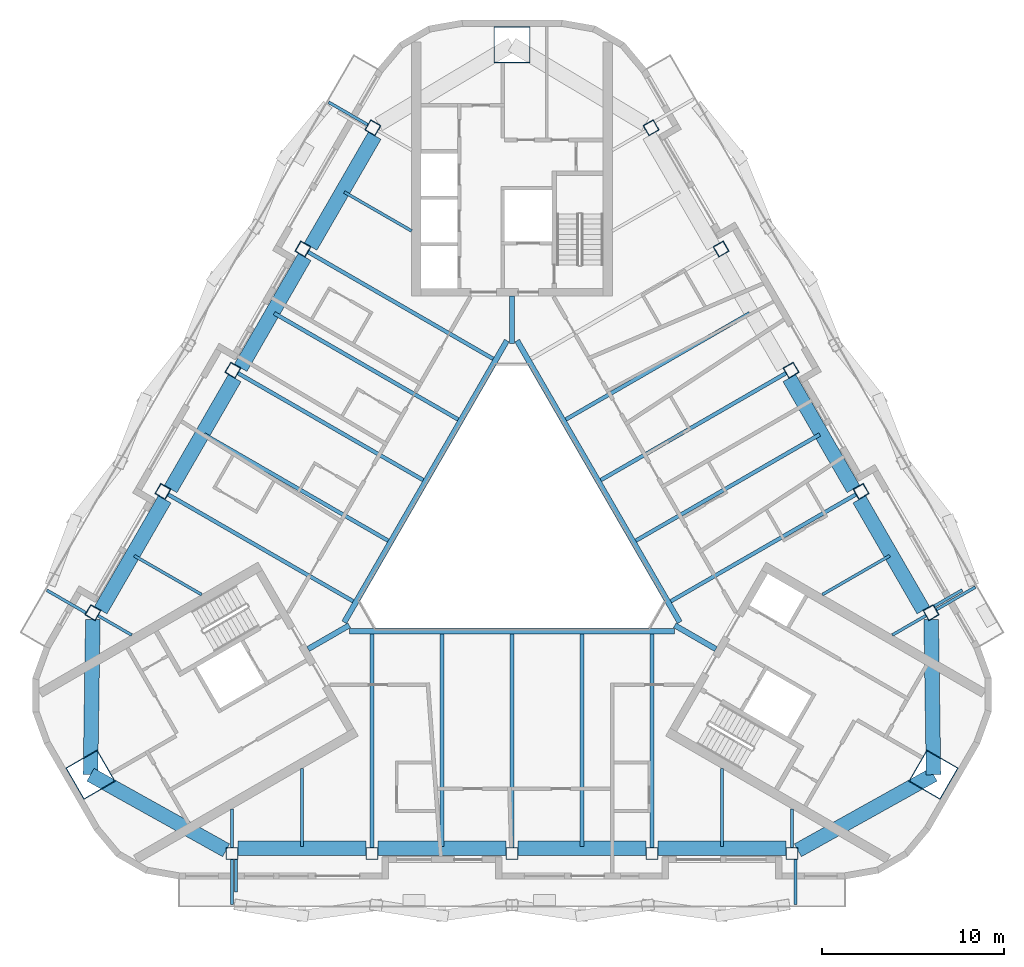
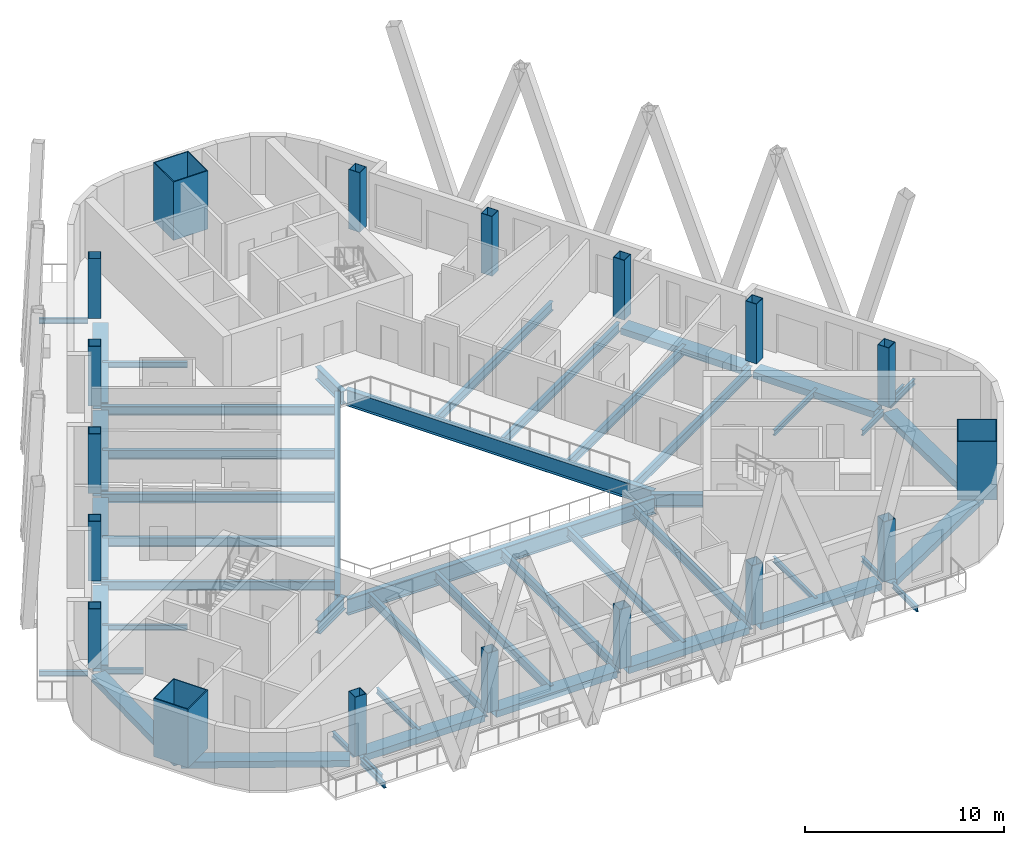
# One storey, part 1 of 14: 50 beams, 18 columns.
"""IFC4 building model written with IfcOpenShell, lengths in metres."""

from ifc_helpers import new_model, si_unit, direction, frame, origin, origin_2d, place, context, subcontext, project, spatial, rectangle, hollow_rectangle, i_section, extrude, boolean, halfspace, material, material_profile, profile_set, type_object, element, save


model = new_model("IFC4")

# Units and contexts
model_context = context("Model", 3, precision=1e-05, world=origin(), true_north=direction((0.0, 1.0)))
body_context = subcontext(model_context, "Body", "Model", "MODEL_VIEW")
ifc_project = project(units=[si_unit("LENGTHUNIT", "METRE"), si_unit("AREAUNIT", "SQUARE_METRE"), si_unit("VOLUMEUNIT", "CUBIC_METRE"), si_unit("PLANEANGLEUNIT", "RADIAN"), si_unit("MASSUNIT", "GRAM", prefix="KILO")], contexts=[model_context])

# Site, building, storey
site_placement = place(None, origin())
site = spatial("IfcSite", under=ifc_project, at=site_placement, CompositionType="ELEMENT")
building_placement = place(site_placement, origin())
building = spatial("IfcBuilding", under=site, at=building_placement, Name="Apuvela Tower Hotel", CompositionType="ELEMENT")
storey_placement = place(building_placement, frame((0.0, 0.0, 257.800048828125)))
storey = spatial("IfcBuildingStorey", under=building, at=storey_placement, Name="L63", CompositionType="ELEMENT", Elevation=257.800048828125)

# Columns
ifc_material_1 = material(Name="Steel S460", Category="steel")
ifc_material_profile_1 = material_profile(ifc_material_1, hollow_rectangle(XDim=2.0, YDim=2.0, WallThickness=0.050048828125, at=origin_2d()), Name="BOX 2000x2000x50")
ifc_material_2 = material(Name="Concrete C80/95", Category="concrete")
ifc_material_profile_2 = material_profile(ifc_material_2, rectangle(XDim=1.89990234375, YDim=1.89990234375, at=origin_2d()), Name="Concrete C80/95 infill")
ifc_profile_set_1 = profile_set([ifc_material_profile_1, ifc_material_profile_2], Name="Steel S460")
column_type_1 = type_object("IfcColumnType", Name="STR-MC mega column BOX 2000x2000x50", PredefinedType="COLUMN", material=ifc_profile_set_1)
for number, where, z_axis, x_axis, name in (
    (1, (0.0, 26.67626953125, 0.0), (0.0, 0.0, 1.0), (1.0, 0.0, 0.0), "Mega column MC4 N"),
    (2, (-23.102294921875, -13.338134765625, 0.0), (0.0, 0.0, 1.0), (-0.5, 0.866025403784, 0.0), "Mega column MC4 SW"),
    (3, (23.102294921875, -13.338134765625, 0.0), (0.0, 0.0, 1.0), (0.5, 0.866025403784, 0.0), "Mega column MC4 SE"),
):
    element("IfcColumn", number, at=place(storey_placement, frame(where, z_axis=z_axis, x_axis=x_axis)), inside=storey, type_object=column_type_1, Name=name, PredefinedType="COLUMN", context=body_context, shape_type="SweptSolid", body=[
        boolean("DIFFERENCE", extrude(hollow_rectangle(XDim=2.0, YDim=2.0, WallThickness=0.050048828125, at=origin_2d()), origin(), (0.0, 0.0, 1.0), 3.699951171875), halfspace(frame((0.0, 0.0, 0.112060546875), z_axis=(0.0, 0.0, 1.0), x_axis=(1.0, 0.0, 0.0)), True)),
    ])
ifc_material_profile_3 = material_profile(ifc_material_1, hollow_rectangle(XDim=0.64990234375, YDim=0.64990234375, WallThickness=0.030029296875, at=origin_2d()), Name="BOX 650x650x30")
ifc_material_profile_4 = material_profile(ifc_material_2, rectangle(XDim=0.590087890625, YDim=0.590087890625, at=origin_2d()), Name="Concrete C80/95 infill")
ifc_profile_set_2 = profile_set([ifc_material_profile_3, ifc_material_profile_4], Name="Steel S460")
column_type_2 = type_object("IfcColumnType", Name="STR-PC perimeter column BOX 650x650x30", PredefinedType="COLUMN", material=ifc_profile_set_2)
column_1_placement = place(storey_placement, frame((-15.343505859375, -17.662841796875, 0.0), z_axis=(0.0, 0.0, 1.0), x_axis=(-1.0, 0.0, 0.0)))
element("IfcColumn", 4, at=column_1_placement, inside=storey, type_object=column_type_2, Name="Perimeter column C6 S1", PredefinedType="COLUMN", context=body_context, shape_type="SweptSolid", body=[
    boolean("DIFFERENCE", extrude(hollow_rectangle(XDim=0.64990234375, YDim=0.64990234375, WallThickness=0.030029296875, at=origin_2d()), origin(), (0.0, 0.0, 1.0), 3.699951171875), halfspace(frame((0.0, 0.0, 0.046875), z_axis=(0.0, 0.0, 1.0), x_axis=(1.0, 0.0, 0.0)), True)),
])
column_2_placement = place(storey_placement, frame((-7.671875, -17.662841796875, 0.0), z_axis=(0.0, 0.0, 1.0), x_axis=(-1.0, 0.0, 0.0)))
element("IfcColumn", 5, at=column_2_placement, inside=storey, type_object=column_type_2, Name="Perimeter column C6 S2", PredefinedType="COLUMN", context=body_context, shape_type="SweptSolid", body=[
    boolean("DIFFERENCE", extrude(hollow_rectangle(XDim=0.64990234375, YDim=0.64990234375, WallThickness=0.030029296875, at=origin_2d()), origin(), (0.0, 0.0, 1.0), 3.699951171875), halfspace(frame((0.0, 0.0, 0.039794921875), z_axis=(0.0, 0.0, 1.0), x_axis=(1.0, 0.0, 0.0)), True)),
])
column_3_placement = place(storey_placement, frame((0.0, -17.662841796875, 0.0), z_axis=(0.0, 0.0, 1.0), x_axis=(-1.0, 0.0, 0.0)))
element("IfcColumn", 6, at=column_3_placement, inside=storey, type_object=column_type_2, Name="Perimeter column C6 S3", PredefinedType="COLUMN", context=body_context, shape_type="SweptSolid", body=[
    boolean("DIFFERENCE", extrude(hollow_rectangle(XDim=0.64990234375, YDim=0.64990234375, WallThickness=0.030029296875, at=origin_2d()), origin(), (0.0, 0.0, 1.0), 3.699951171875), halfspace(frame((0.0, 0.0, 0.037109375), z_axis=(0.0, 0.0, 1.0), x_axis=(1.0, 0.0, 0.0)), True)),
])
column_4_placement = place(storey_placement, frame((7.671875, -17.662841796875, 0.0), z_axis=(0.0, 0.0, 1.0), x_axis=(-1.0, 0.0, 0.0)))
element("IfcColumn", 7, at=column_4_placement, inside=storey, type_object=column_type_2, Name="Perimeter column C6 S4", PredefinedType="COLUMN", context=body_context, shape_type="SweptSolid", body=[
    boolean("DIFFERENCE", extrude(hollow_rectangle(XDim=0.64990234375, YDim=0.64990234375, WallThickness=0.030029296875, at=origin_2d()), origin(), (0.0, 0.0, 1.0), 3.699951171875), halfspace(frame((0.0, 0.0, 0.039794921875), z_axis=(0.0, 0.0, 1.0), x_axis=(1.0, 0.0, 0.0)), True)),
])
for number, where, z_axis, x_axis, name in (
    (8, (15.343505859375, -17.662841796875, 0.0), (0.0, 0.0, 1.0), (-1.0, 0.0, 0.0), "Perimeter column C6 S5"),
    (9, (22.96826171875, -4.45654296875, 0.0), (0.0, 0.0, 1.0), (-0.5, 0.866025403784, 0.0), "Perimeter column C6 NE1"),
):
    element("IfcColumn", number, at=place(storey_placement, frame(where, z_axis=z_axis, x_axis=x_axis)), inside=storey, type_object=column_type_2, Name=name, PredefinedType="COLUMN", context=body_context, shape_type="SweptSolid", body=[
        boolean("DIFFERENCE", extrude(hollow_rectangle(XDim=0.64990234375, YDim=0.64990234375, WallThickness=0.030029296875, at=origin_2d()), origin(), (0.0, 0.0, 1.0), 3.699951171875), halfspace(frame((0.0, 0.0, 0.046875), z_axis=(0.0, 0.0, 1.0), x_axis=(1.0, 0.0, 0.0)), True)),
    ])
column_5_placement = place(storey_placement, frame((19.13232421875, 2.1875, 0.0), z_axis=(0.0, 0.0, 1.0), x_axis=(-0.5, 0.866025403784, 0.0)))
element("IfcColumn", 10, at=column_5_placement, inside=storey, type_object=column_type_2, Name="Perimeter column C6 NE2", PredefinedType="COLUMN", context=body_context, shape_type="SweptSolid", body=[
    boolean("DIFFERENCE", extrude(hollow_rectangle(XDim=0.64990234375, YDim=0.64990234375, WallThickness=0.030029296875, at=origin_2d()), origin(), (0.0, 0.0, 1.0), 3.699951171875), halfspace(frame((0.0, 0.0, 0.039794921875), z_axis=(0.0, 0.0, 1.0), x_axis=(1.0, 0.0, 0.0)), True)),
])
column_6_placement = place(storey_placement, frame((15.29638671875, 8.83154296875, 0.0), z_axis=(0.0, 0.0, 1.0), x_axis=(-0.5, 0.866025403784, 0.0)))
element("IfcColumn", 11, at=column_6_placement, inside=storey, type_object=column_type_2, Name="Perimeter column C6 NE3", PredefinedType="COLUMN", context=body_context, shape_type="SweptSolid", body=[
    boolean("DIFFERENCE", extrude(hollow_rectangle(XDim=0.64990234375, YDim=0.64990234375, WallThickness=0.030029296875, at=origin_2d()), origin(), (0.0, 0.0, 1.0), 3.699951171875), halfspace(frame((0.0, 0.0, 0.037109375), z_axis=(0.0, 0.0, 1.0), x_axis=(1.0, 0.0, 0.0)), True)),
])
column_7_placement = place(storey_placement, frame((11.460693359375, 15.475341796875, 0.0), z_axis=(0.0, 0.0, 1.0), x_axis=(-0.5, 0.866025403784, 0.0)))
element("IfcColumn", 12, at=column_7_placement, inside=storey, type_object=column_type_2, Name="Perimeter column C6 NE4", PredefinedType="COLUMN", context=body_context, shape_type="SweptSolid", body=[
    boolean("DIFFERENCE", extrude(hollow_rectangle(XDim=0.64990234375, YDim=0.64990234375, WallThickness=0.030029296875, at=origin_2d()), origin(), (0.0, 0.0, 1.0), 3.699951171875), halfspace(frame((0.0, 0.0, 0.039794921875), z_axis=(0.0, 0.0, 1.0), x_axis=(1.0, 0.0, 0.0)), True)),
])
for number, where, z_axis, x_axis, name in (
    (13, (7.624755859375, 22.119384765625, 0.0), (0.0, 0.0, 1.0), (-0.5, 0.866025403784, 0.0), "Perimeter column C6 NE5"),
    (14, (-7.624755859375, 22.119384765625, 0.0), (0.0, 0.0, 1.0), (0.5, 0.866025403784, 0.0), "Perimeter column C6 NW1"),
):
    element("IfcColumn", number, at=place(storey_placement, frame(where, z_axis=z_axis, x_axis=x_axis)), inside=storey, type_object=column_type_2, Name=name, PredefinedType="COLUMN", context=body_context, shape_type="SweptSolid", body=[
        boolean("DIFFERENCE", extrude(hollow_rectangle(XDim=0.64990234375, YDim=0.64990234375, WallThickness=0.030029296875, at=origin_2d()), origin(), (0.0, 0.0, 1.0), 3.699951171875), halfspace(frame((0.0, 0.0, 0.046875), z_axis=(0.0, 0.0, 1.0), x_axis=(1.0, 0.0, 0.0)), True)),
    ])
column_8_placement = place(storey_placement, frame((-11.460693359375, 15.475341796875, 0.0), z_axis=(0.0, 0.0, 1.0), x_axis=(0.5, 0.866025403784, 0.0)))
element("IfcColumn", 15, at=column_8_placement, inside=storey, type_object=column_type_2, Name="Perimeter column C6 NW2", PredefinedType="COLUMN", context=body_context, shape_type="SweptSolid", body=[
    boolean("DIFFERENCE", extrude(hollow_rectangle(XDim=0.64990234375, YDim=0.64990234375, WallThickness=0.030029296875, at=origin_2d()), origin(), (0.0, 0.0, 1.0), 3.699951171875), halfspace(frame((0.0, 0.0, 0.039794921875), z_axis=(0.0, 0.0, 1.0), x_axis=(1.0, 0.0, 0.0)), True)),
])
column_9_placement = place(storey_placement, frame((-15.29638671875, 8.83154296875, 0.0), z_axis=(0.0, 0.0, 1.0), x_axis=(0.5, 0.866025403784, 0.0)))
element("IfcColumn", 16, at=column_9_placement, inside=storey, type_object=column_type_2, Name="Perimeter column C6 NW3", PredefinedType="COLUMN", context=body_context, shape_type="SweptSolid", body=[
    boolean("DIFFERENCE", extrude(hollow_rectangle(XDim=0.64990234375, YDim=0.64990234375, WallThickness=0.030029296875, at=origin_2d()), origin(), (0.0, 0.0, 1.0), 3.699951171875), halfspace(frame((0.0, 0.0, 0.037109375), z_axis=(0.0, 0.0, 1.0), x_axis=(1.0, 0.0, 0.0)), True)),
])
column_10_placement = place(storey_placement, frame((-19.13232421875, 2.1875, 0.0), z_axis=(0.0, 0.0, 1.0), x_axis=(0.5, 0.866025403784, 0.0)))
element("IfcColumn", 17, at=column_10_placement, inside=storey, type_object=column_type_2, Name="Perimeter column C6 NW4", PredefinedType="COLUMN", context=body_context, shape_type="SweptSolid", body=[
    boolean("DIFFERENCE", extrude(hollow_rectangle(XDim=0.64990234375, YDim=0.64990234375, WallThickness=0.030029296875, at=origin_2d()), origin(), (0.0, 0.0, 1.0), 3.699951171875), halfspace(frame((0.0, 0.0, 0.039794921875), z_axis=(0.0, 0.0, 1.0), x_axis=(1.0, 0.0, 0.0)), True)),
])
column_11_placement = place(storey_placement, frame((-22.96826171875, -4.45654296875, 0.0), z_axis=(0.0, 0.0, 1.0), x_axis=(0.5, 0.866025403784, 0.0)))
element("IfcColumn", 18, at=column_11_placement, inside=storey, type_object=column_type_2, Name="Perimeter column C6 NW5", PredefinedType="COLUMN", context=body_context, shape_type="SweptSolid", body=[
    boolean("DIFFERENCE", extrude(hollow_rectangle(XDim=0.64990234375, YDim=0.64990234375, WallThickness=0.030029296875, at=origin_2d()), origin(), (0.0, 0.0, 1.0), 3.699951171875), halfspace(frame((0.0, 0.0, 0.046875), z_axis=(0.0, 0.0, 1.0), x_axis=(1.0, 0.0, 0.0)), True)),
])

# Beams
ifc_material_3 = material(Name="Steel S355", Category="steel")
ifc_material_profile_5 = material_profile(ifc_material_3, i_section(OverallWidth=0.159912109375, OverallDepth=0.330078125, WebThickness=0.007568359375, FlangeThickness=0.011474609375, at=origin_2d()), Name="IPE 330")
ifc_profile_set_3 = profile_set([ifc_material_profile_5], Name="Steel S355")
beam_type_1 = type_object("IfcBeamType", Name="ENV-BALCONY-BEAM-IPE330", PredefinedType="BEAM", material=ifc_profile_set_3)
beam_1_placement = place(storey_placement, frame((-15.343505859375, -17.98779296875, -0.31494140625), z_axis=(0.0, -1.0, 0.0), x_axis=(1.0, 0.0, 0.0)))
element("IfcBeam", 19, at=beam_1_placement, inside=storey, type_object=beam_type_1, Name="Balcony cantilever beam S1 L63", PredefinedType="BEAM", context=body_context, shape_type="SweptSolid", body=[
    extrude(i_section(OverallWidth=0.159912109375, OverallDepth=0.330078125, WebThickness=0.007568359375, FlangeThickness=0.011474609375, at=origin_2d()), origin(), (0.0, 0.0, 1.0), 2.47509765625),
])
beam_2_placement = place(storey_placement, frame((-15.12353515625, -17.98779296875, -0.31494140625), z_axis=(0.0, -1.0, 0.0), x_axis=(1.0, 0.0, 0.0)))
element("IfcBeam", 20, at=beam_2_placement, inside=storey, type_object=beam_type_1, Name="Balcony cantilever beam S2 L63", PredefinedType="BEAM", context=body_context, shape_type="SweptSolid", body=[
    extrude(i_section(OverallWidth=0.159912109375, OverallDepth=0.330078125, WebThickness=0.007568359375, FlangeThickness=0.011474609375, at=origin_2d()), origin(), (0.0, 0.0, 1.0), 1.775146484375),
])
for number, where, z_axis, x_axis, name in (
    (21, (15.543701171875, -17.98779296875, -0.31494140625), (0.0, -1.0, 0.0), (1.0, 0.0, 0.0), "Balcony cantilever beam S3 L63"),
    (22, (23.249755859375, -4.2939453125, -0.31494140625), (0.866031185235, 0.4999899861, 0.0), (-0.4999899861, 0.866031185235, 0.0), "Balcony cantilever beam NE1 L63"),
):
    element("IfcBeam", number, at=place(storey_placement, frame(where, z_axis=z_axis, x_axis=x_axis)), inside=storey, type_object=beam_type_1, Name=name, PredefinedType="BEAM", context=body_context, shape_type="SweptSolid", body=[
        extrude(i_section(OverallWidth=0.159912109375, OverallDepth=0.330078125, WebThickness=0.007568359375, FlangeThickness=0.011474609375, at=origin_2d()), origin(), (0.0, 0.0, 1.0), 2.47509765625),
    ])
beam_3_placement = place(storey_placement, frame((23.139892578125, -4.103515625, -0.31494140625), z_axis=(0.865965678975, 0.50010343214, 0.0), x_axis=(-0.50010343214, 0.865965678975, 0.0)))
element("IfcBeam", 23, at=beam_3_placement, inside=storey, type_object=beam_type_1, Name="Balcony cantilever beam NE2 L63", PredefinedType="BEAM", context=body_context, shape_type="SweptSolid", body=[
    extrude(i_section(OverallWidth=0.159912109375, OverallDepth=0.330078125, WebThickness=0.007568359375, FlangeThickness=0.011474609375, at=origin_2d()), origin(), (0.0, 0.0, 1.0), 1.77490234375),
])
for number, where, z_axis, x_axis, name in (
    (24, (-7.90625, 22.281982421875, -0.31494140625), (-0.86604923931, 0.499958713387, 0.0), (-0.499958713387, -0.86604923931, 0.0), "Balcony cantilever beam NW1 L63"),
    (25, (-23.349853515625, -4.46728515625, -0.31494140625), (-0.866006523861, 0.500032699561, 0.0), (-0.500032699561, -0.866006523861, 0.0), "Balcony cantilever beam NW3 L63"),
):
    element("IfcBeam", number, at=place(storey_placement, frame(where, z_axis=z_axis, x_axis=x_axis)), inside=storey, type_object=beam_type_1, Name=name, PredefinedType="BEAM", context=body_context, shape_type="SweptSolid", body=[
        extrude(i_section(OverallWidth=0.159912109375, OverallDepth=0.330078125, WebThickness=0.007568359375, FlangeThickness=0.011474609375, at=origin_2d()), origin(), (0.0, 0.0, 1.0), 2.474853515625),
    ])
ifc_material_profile_6 = material_profile(ifc_material_3, i_section(OverallWidth=0.159912109375, OverallDepth=0.330078125, WebThickness=0.007568359375, FlangeThickness=0.011474609375, at=origin_2d()), Name="IPE 330")
ifc_profile_set_4 = profile_set([ifc_material_profile_6], Name="Steel S355")
beam_type_2 = type_object("IfcBeamType", Name="STR-B floor beam IPE 330", PredefinedType="BEAM", material=ifc_profile_set_4)
beam_4_placement = place(storey_placement, frame((22.686767578125, -4.618896484375, -0.31494140625), z_axis=(-0.866025132214, -0.500000470374, 0.0), x_axis=(0.500000470374, -0.866025132214, 0.0)))
element("IfcBeam", 26, at=beam_4_placement, inside=storey, type_object=beam_type_2, Name="Floor beam B1 NE1", PredefinedType="BEAM", context=body_context, shape_type="SweptSolid", body=[
    extrude(i_section(OverallWidth=0.159912109375, OverallDepth=0.330078125, WebThickness=0.007568359375, FlangeThickness=0.011474609375, at=origin_2d()), origin(), (0.0, 0.0, 1.0), 2.12841796875),
])
for number, where, z_axis, x_axis, name in (
    (27, (20.7041015625, -1.33447265625, -0.31494140625), (-0.866027461465, -0.499996435975, 0.0), (0.499996435975, -0.866027461465, 0.0), "Floor beam B1 NE2"),
    (28, (-9.1962890625, 18.597412109375, -0.31494140625), (0.866027461465, -0.499996435975, 0.0), (0.499996435975, 0.866027461465, 0.0), "Floor beam B1 NW2"),
    (29, (-20.7041015625, -1.33447265625, -0.31494140625), (0.866027461465, -0.499996435975, 0.0), (0.499996435975, 0.866027461465, 0.0), "Floor beam B1 NW8"),
):
    element("IfcBeam", number, at=place(storey_placement, frame(where, z_axis=z_axis, x_axis=x_axis)), inside=storey, type_object=beam_type_2, Name=name, PredefinedType="BEAM", context=body_context, shape_type="SweptSolid", body=[
        extrude(i_section(OverallWidth=0.159912109375, OverallDepth=0.330078125, WebThickness=0.007568359375, FlangeThickness=0.011474609375, at=origin_2d()), origin(), (0.0, 0.0, 1.0), 4.26806640625),
    ])
for number, where, z_axis, x_axis, name in (
    (30, (-22.686767578125, -4.618896484375, -0.31494140625), (0.866025132214, -0.500000470374, 0.0), (0.500000470374, 0.866025132214, 0.0), "Floor beam B1 NW9"),
    (31, (-15.343505859375, -17.337890625, -0.31494140625), (0.0, 1.0, 0.0), (-1.0, 0.0, 0.0), "Floor beam B1 S1"),
):
    element("IfcBeam", number, at=place(storey_placement, frame(where, z_axis=z_axis, x_axis=x_axis)), inside=storey, type_object=beam_type_2, Name=name, PredefinedType="BEAM", context=body_context, shape_type="SweptSolid", body=[
        extrude(i_section(OverallWidth=0.159912109375, OverallDepth=0.330078125, WebThickness=0.007568359375, FlangeThickness=0.011474609375, at=origin_2d()), origin(), (0.0, 0.0, 1.0), 2.12841796875),
    ])
for number, where, z_axis, x_axis, name in (
    (32, (-11.5078125, -17.262939453125, -0.31494140625), (0.0, 1.0, 0.0), (-1.0, 0.0, 0.0), "Floor beam B1 S2"),
    (33, (11.5078125, -17.262939453125, -0.31494140625), (0.0, 1.0, 0.0), (-1.0, 0.0, 0.0), "Floor beam B1 S8"),
):
    element("IfcBeam", number, at=place(storey_placement, frame(where, z_axis=z_axis, x_axis=x_axis)), inside=storey, type_object=beam_type_2, Name=name, PredefinedType="BEAM", context=body_context, shape_type="SweptSolid", body=[
        extrude(i_section(OverallWidth=0.159912109375, OverallDepth=0.330078125, WebThickness=0.007568359375, FlangeThickness=0.011474609375, at=origin_2d()), origin(), (0.0, 0.0, 1.0), 4.26806640625),
    ])
beam_5_placement = place(storey_placement, frame((15.343505859375, -17.337890625, -0.31494140625), z_axis=(0.0, 1.0, 0.0), x_axis=(-1.0, 0.0, 0.0)))
element("IfcBeam", 34, at=beam_5_placement, inside=storey, type_object=beam_type_2, Name="Floor beam B1 S9", PredefinedType="BEAM", context=body_context, shape_type="SweptSolid", body=[
    extrude(i_section(OverallWidth=0.159912109375, OverallDepth=0.330078125, WebThickness=0.007568359375, FlangeThickness=0.011474609375, at=origin_2d()), origin(), (0.0, 0.0, 1.0), 2.12841796875),
])
ifc_material_profile_7 = material_profile(ifc_material_3, i_section(OverallWidth=0.2099609375, OverallDepth=0.550048828125, WebThickness=0.010986328125, FlangeThickness=0.01708984375, at=origin_2d()), Name="IPE 550")
ifc_profile_set_5 = profile_set([ifc_material_profile_7], Name="Steel S355")
beam_type_3 = type_object("IfcBeamType", Name="STR-B floor beam IPE 550", PredefinedType="BEAM", material=ifc_profile_set_5)
beam_6_placement = place(storey_placement, frame((18.85107421875, 2.02490234375, -0.425048828125), z_axis=(-0.866031887023, -0.499988770534, 0.0), x_axis=(0.499988770534, -0.866031887023, 0.0)))
element("IfcBeam", 35, at=beam_6_placement, inside=storey, type_object=beam_type_3, Name="Floor beam B7 NE3", PredefinedType="BEAM", context=body_context, shape_type="SweptSolid", body=[
    extrude(i_section(OverallWidth=0.2099609375, OverallDepth=0.550048828125, WebThickness=0.010986328125, FlangeThickness=0.01708984375, at=origin_2d()), origin(), (0.0, 0.0, 1.0), 11.718017578125),
])
beam_7_placement = place(storey_placement, frame((16.8681640625, 5.3095703125, -0.425048828125), z_axis=(-0.866026706426, -0.499997743752, 0.0), x_axis=(0.499997743752, -0.866026706426, 0.0)))
element("IfcBeam", 36, at=beam_7_placement, inside=storey, type_object=beam_type_3, Name="Floor beam B7 NE4", PredefinedType="BEAM", context=body_context, shape_type="SweptSolid", body=[
    extrude(i_section(OverallWidth=0.2099609375, OverallDepth=0.550048828125, WebThickness=0.010986328125, FlangeThickness=0.01708984375, at=origin_2d()), origin(), (0.0, 0.0, 1.0), 11.64306640625),
])
beam_8_placement = place(storey_placement, frame((15.01513671875, 8.6689453125, -0.425048828125), z_axis=(-0.866026678465, -0.499997792181, 0.0), x_axis=(0.499997792181, -0.866026678465, 0.0)))
element("IfcBeam", 37, at=beam_8_placement, inside=storey, type_object=beam_type_3, Name="Floor beam B7 NE5", PredefinedType="BEAM", context=body_context, shape_type="SweptSolid", body=[
    extrude(i_section(OverallWidth=0.2099609375, OverallDepth=0.550048828125, WebThickness=0.010986328125, FlangeThickness=0.01708984375, at=origin_2d()), origin(), (0.0, 0.0, 1.0), 11.7177734375),
])
beam_9_placement = place(storey_placement, frame((13.0322265625, 11.953369140625, -0.425048828125), z_axis=(-0.866030544062, -0.499991096673, 0.0), x_axis=(0.499991096673, -0.866030544062, 0.0)))
element("IfcBeam", 38, at=beam_9_placement, inside=storey, type_object=beam_type_3, Name="Floor beam B7 NE6", PredefinedType="BEAM", context=body_context, shape_type="SweptSolid", body=[
    extrude(i_section(OverallWidth=0.2099609375, OverallDepth=0.550048828125, WebThickness=0.010986328125, FlangeThickness=0.01708984375, at=origin_2d()), origin(), (0.0, 0.0, 1.0), 11.642822265625),
])
beam_10_placement = place(storey_placement, frame((-11.17919921875, 15.31298828125, -0.425048828125), z_axis=(0.866026678465, -0.499997792181, 0.0), x_axis=(0.499997792181, 0.866026678465, 0.0)))
element("IfcBeam", 39, at=beam_10_placement, inside=storey, type_object=beam_type_3, Name="Floor beam B7 NW3", PredefinedType="BEAM", context=body_context, shape_type="SweptSolid", body=[
    extrude(i_section(OverallWidth=0.2099609375, OverallDepth=0.550048828125, WebThickness=0.010986328125, FlangeThickness=0.01708984375, at=origin_2d()), origin(), (0.0, 0.0, 1.0), 11.7177734375),
])
beam_11_placement = place(storey_placement, frame((-13.0322265625, 11.953369140625, -0.425048828125), z_axis=(0.866030544062, -0.499991096673, 0.0), x_axis=(0.499991096673, 0.866030544062, 0.0)))
element("IfcBeam", 40, at=beam_11_placement, inside=storey, type_object=beam_type_3, Name="Floor beam B7 NW4", PredefinedType="BEAM", context=body_context, shape_type="SweptSolid", body=[
    extrude(i_section(OverallWidth=0.2099609375, OverallDepth=0.550048828125, WebThickness=0.010986328125, FlangeThickness=0.01708984375, at=origin_2d()), origin(), (0.0, 0.0, 1.0), 11.642822265625),
])
beam_12_placement = place(storey_placement, frame((-15.01513671875, 8.6689453125, -0.425048828125), z_axis=(0.866026678465, -0.499997792181, 0.0), x_axis=(0.499997792181, 0.866026678465, 0.0)))
element("IfcBeam", 41, at=beam_12_placement, inside=storey, type_object=beam_type_3, Name="Floor beam B7 NW5", PredefinedType="BEAM", context=body_context, shape_type="SweptSolid", body=[
    extrude(i_section(OverallWidth=0.2099609375, OverallDepth=0.550048828125, WebThickness=0.010986328125, FlangeThickness=0.01708984375, at=origin_2d()), origin(), (0.0, 0.0, 1.0), 11.7177734375),
])
beam_13_placement = place(storey_placement, frame((-16.8681640625, 5.3095703125, -0.425048828125), z_axis=(0.866026706426, -0.499997743752, 0.0), x_axis=(0.499997743752, 0.866026706426, 0.0)))
element("IfcBeam", 42, at=beam_13_placement, inside=storey, type_object=beam_type_3, Name="Floor beam B7 NW6", PredefinedType="BEAM", context=body_context, shape_type="SweptSolid", body=[
    extrude(i_section(OverallWidth=0.2099609375, OverallDepth=0.550048828125, WebThickness=0.010986328125, FlangeThickness=0.01708984375, at=origin_2d()), origin(), (0.0, 0.0, 1.0), 11.64306640625),
])
beam_14_placement = place(storey_placement, frame((-18.85107421875, 2.02490234375, -0.425048828125), z_axis=(0.866031887023, -0.499988770534, 0.0), x_axis=(0.499988770534, 0.866031887023, 0.0)))
element("IfcBeam", 43, at=beam_14_placement, inside=storey, type_object=beam_type_3, Name="Floor beam B7 NW7", PredefinedType="BEAM", context=body_context, shape_type="SweptSolid", body=[
    extrude(i_section(OverallWidth=0.2099609375, OverallDepth=0.550048828125, WebThickness=0.010986328125, FlangeThickness=0.01708984375, at=origin_2d()), origin(), (0.0, 0.0, 1.0), 11.718017578125),
])
beam_15_placement = place(storey_placement, frame((-7.671875, -17.337890625, -0.425048828125), z_axis=(0.0, 1.0, 0.0), x_axis=(-1.0, 0.0, 0.0)))
element("IfcBeam", 44, at=beam_15_placement, inside=storey, type_object=beam_type_3, Name="Floor beam B7 S3", PredefinedType="BEAM", context=body_context, shape_type="SweptSolid", body=[
    extrude(i_section(OverallWidth=0.2099609375, OverallDepth=0.550048828125, WebThickness=0.010986328125, FlangeThickness=0.01708984375, at=origin_2d()), origin(), (0.0, 0.0, 1.0), 11.7177734375),
])
beam_16_placement = place(storey_placement, frame((-3.8359375, -17.262939453125, -0.425048828125), z_axis=(0.0, 1.0, 0.0), x_axis=(-1.0, 0.0, 0.0)))
element("IfcBeam", 45, at=beam_16_placement, inside=storey, type_object=beam_type_3, Name="Floor beam B7 S4", PredefinedType="BEAM", context=body_context, shape_type="SweptSolid", body=[
    extrude(i_section(OverallWidth=0.2099609375, OverallDepth=0.550048828125, WebThickness=0.010986328125, FlangeThickness=0.01708984375, at=origin_2d()), origin(), (0.0, 0.0, 1.0), 11.642822265625),
])
beam_17_placement = place(storey_placement, frame((0.0, -17.337890625, -0.425048828125), z_axis=(0.0, 1.0, 0.0), x_axis=(-1.0, 0.0, 0.0)))
element("IfcBeam", 46, at=beam_17_placement, inside=storey, type_object=beam_type_3, Name="Floor beam B7 S5", PredefinedType="BEAM", context=body_context, shape_type="SweptSolid", body=[
    extrude(i_section(OverallWidth=0.2099609375, OverallDepth=0.550048828125, WebThickness=0.010986328125, FlangeThickness=0.01708984375, at=origin_2d()), origin(), (0.0, 0.0, 1.0), 11.7177734375),
])
beam_18_placement = place(storey_placement, frame((3.8359375, -17.262939453125, -0.425048828125), z_axis=(0.0, 1.0, 0.0), x_axis=(-1.0, 0.0, 0.0)))
element("IfcBeam", 47, at=beam_18_placement, inside=storey, type_object=beam_type_3, Name="Floor beam B7 S6", PredefinedType="BEAM", context=body_context, shape_type="SweptSolid", body=[
    extrude(i_section(OverallWidth=0.2099609375, OverallDepth=0.550048828125, WebThickness=0.010986328125, FlangeThickness=0.01708984375, at=origin_2d()), origin(), (0.0, 0.0, 1.0), 11.642822265625),
])
beam_19_placement = place(storey_placement, frame((7.671875, -17.337890625, -0.425048828125), z_axis=(0.0, 1.0, 0.0), x_axis=(-1.0, 0.0, 0.0)))
element("IfcBeam", 48, at=beam_19_placement, inside=storey, type_object=beam_type_3, Name="Floor beam B7 S7", PredefinedType="BEAM", context=body_context, shape_type="SweptSolid", body=[
    extrude(i_section(OverallWidth=0.2099609375, OverallDepth=0.550048828125, WebThickness=0.010986328125, FlangeThickness=0.01708984375, at=origin_2d()), origin(), (0.0, 0.0, 1.0), 11.7177734375),
])
ifc_material_profile_8 = material_profile(ifc_material_3, i_section(OverallWidth=0.300048828125, OverallDepth=0.989990234375, WebThickness=0.0166015625, FlangeThickness=0.031005859375, at=origin_2d()), Name="HE 1000 A")
ifc_profile_set_6 = profile_set([ifc_material_profile_8], Name="Steel S355")
beam_type_4 = type_object("IfcBeamType", Name="STR-G atrium ring girder HE 1000 A", PredefinedType="BEAM", material=ifc_profile_set_6)
beam_20_placement = place(storey_placement, frame((-0.27978515625, 10.455078125, -0.64501953125), z_axis=(-0.500006541319, -0.866021627119, 0.0), x_axis=(0.866021627119, -0.500006541319, 0.0)))
element("IfcBeam", 49, at=beam_20_placement, inside=storey, type_object=beam_type_4, Name="Atrium ring girder G3 N-SW", PredefinedType="BEAM", context=body_context, shape_type="SweptSolid", body=[
    extrude(i_section(OverallWidth=0.300048828125, OverallDepth=0.989990234375, WebThickness=0.0166015625, FlangeThickness=0.031005859375, at=origin_2d()), origin(), (0.0, 0.0, 1.0), 17.828857421875),
])
beam_21_placement = place(storey_placement, frame((-8.91455078125, -5.469970703125, -0.64501953125), z_axis=(1.0, 0.0, 0.0), x_axis=(0.0, 1.0, 0.0)))
element("IfcBeam", 50, at=beam_21_placement, inside=storey, type_object=beam_type_4, Name="Atrium ring girder G3 SW-SE", PredefinedType="BEAM", context=body_context, shape_type="SweptSolid", body=[
    extrude(i_section(OverallWidth=0.300048828125, OverallDepth=0.989990234375, WebThickness=0.0166015625, FlangeThickness=0.031005859375, at=origin_2d()), origin(), (0.0, 0.0, 1.0), 17.8291015625),
])
beam_22_placement = place(storey_placement, frame((9.1943359375, -4.985107421875, -0.64501953125), z_axis=(-0.500006541319, 0.866021627119, 0.0), x_axis=(-0.866021627119, -0.500006541319, 0.0)))
element("IfcBeam", 51, at=beam_22_placement, inside=storey, type_object=beam_type_4, Name="Atrium ring girder G3 SE-N", PredefinedType="BEAM", context=body_context, shape_type="SweptSolid", body=[
    extrude(i_section(OverallWidth=0.300048828125, OverallDepth=0.989990234375, WebThickness=0.0166015625, FlangeThickness=0.031005859375, at=origin_2d()), origin(), (0.0, 0.0, 1.0), 17.828857421875),
])
ifc_material_profile_9 = material_profile(ifc_material_3, i_section(OverallWidth=0.300048828125, OverallDepth=0.800048828125, WebThickness=0.017578125, FlangeThickness=0.032958984375, at=origin_2d()), Name="HE 800 B")
ifc_profile_set_7 = profile_set([ifc_material_profile_9], Name="Steel S355")
beam_type_5 = type_object("IfcBeamType", Name="STR-GT core tie beam HE 800 B", PredefinedType="BEAM", material=ifc_profile_set_7)
for number, where, z_axis, x_axis, name in (
    (52, (0.0, 12.89990234375, -0.550048828125), (0.0, -1.0, 0.0), (1.0, 0.0, 0.0), "Core tie beam GT1 N"),
    (53, (-11.171630859375, -6.449951171875, -0.550048828125), (0.865997922154, 0.500047596559, 0.0), (-0.500047596559, 0.865997922154, 0.0), "Core tie beam GT1 SW"),
    (54, (11.171630859375, -6.449951171875, -0.550048828125), (-0.865997922154, 0.500047596559, 0.0), (-0.500047596559, -0.865997922154, 0.0), "Core tie beam GT1 SE"),
):
    element("IfcBeam", number, at=place(storey_placement, frame(where, z_axis=z_axis, x_axis=x_axis)), inside=storey, type_object=beam_type_5, Name=name, PredefinedType="BEAM", context=body_context, shape_type="SweptSolid", body=[
        extrude(i_section(OverallWidth=0.300048828125, OverallDepth=0.800048828125, WebThickness=0.017578125, FlangeThickness=0.032958984375, at=origin_2d()), origin(), (0.0, 0.0, 1.0), 2.599853515625),
    ])
ifc_material_profile_10 = material_profile(ifc_material_1, hollow_rectangle(XDim=0.800048828125, YDim=0.39990234375, WallThickness=0.02490234375, at=origin_2d()), Name="BOX 800x400x25")
ifc_profile_set_8 = profile_set([ifc_material_profile_10], Name="Steel S460")
beam_type_6 = type_object("IfcBeamType", Name="STR-RB perimeter ring beam BOX 800x400x25", PredefinedType="SPANDREL", material=ifc_profile_set_8)
for number, where, z_axis, x_axis, name in (
    (55, (-15.0185546875, -17.36279296875, -0.400146484375), (1.0, 0.0, 0.0), (0.0, 1.0, 0.0), "Ring beam RB1 S1"),
    (56, (-7.3466796875, -17.36279296875, -0.400146484375), (1.0, 0.0, 0.0), (0.0, 1.0, 0.0), "Ring beam RB1 S2"),
    (57, (0.324951171875, -17.36279296875, -0.400146484375), (1.0, 0.0, 0.0), (0.0, 1.0, 0.0), "Ring beam RB1 S3"),
    (58, (7.996826171875, -17.36279296875, -0.400146484375), (1.0, 0.0, 0.0), (0.0, 1.0, 0.0), "Ring beam RB1 S4"),
    (59, (22.5458984375, -4.324951171875, -0.400146484375), (-0.499983297449, 0.866035046792, 0.0), (-0.866035046792, -0.499983297449, 0.0), "Ring beam RB1 NE1"),
    (60, (18.710205078125, 2.319091796875, -0.400146484375), (-0.500024430241, 0.866011298519, 0.0), (-0.866011298519, -0.500024430241, 0.0), "Ring beam RB1 NE2"),
    (61, (-7.52734375, 21.68798828125, -0.400146484375), (-0.500009374365, -0.866019991425, 0.0), (0.866019991425, -0.500009374365, 0.0), "Ring beam RB1 NW1"),
    (62, (-11.36328125, 15.0439453125, -0.400146484375), (-0.500009374365, -0.866019991425, 0.0), (0.866019991425, -0.500009374365, 0.0), "Ring beam RB1 NW2"),
    (63, (-15.19921875, 8.39990234375, -0.400146484375), (-0.500024430241, -0.866011298519, 0.0), (0.866011298519, -0.500024430241, 0.0), "Ring beam RB1 NW3"),
    (64, (-19.03515625, 1.756103515625, -0.400146484375), (-0.499983297449, -0.866035046792, 0.0), (0.866035046792, -0.499983297449, 0.0), "Ring beam RB1 NW4"),
):
    element("IfcBeam", number, at=place(storey_placement, frame(where, z_axis=z_axis, x_axis=x_axis)), inside=storey, type_object=beam_type_6, Name=name, PredefinedType="SPANDREL", context=body_context, shape_type="SweptSolid", body=[
        extrude(hollow_rectangle(XDim=0.800048828125, YDim=0.39990234375, WallThickness=0.02490234375, at=origin_2d()), origin(), (0.0, 0.0, 1.0), 7.021728515625),
    ])
for number, where, z_axis, x_axis, name in (
    (65, (-15.668701171875, -17.481689453125, -0.400146484375), (-0.873468989266, 0.486879784742, 0.0), (-0.486879784742, -0.873468989266, 0.0), "Ring beam RB1 S1-SW"),
    (66, (15.668701171875, -17.481689453125, -0.400146484375), (0.873468989266, 0.486879784742, 0.0), (-0.486879784742, 0.873468989266, 0.0), "Ring beam RB1 S5-SE"),
    (67, (22.973876953125, -4.82861328125, -0.400146484375), (0.015089373528, -0.999886148922, 0.0), (0.999886148922, 0.015089373528, 0.0), "Ring beam RB1 NE1-SE"),
    (68, (-22.973876953125, -4.82861328125, -0.400146484375), (-0.015089373528, -0.999886148922, 0.0), (0.999886148922, -0.015089373528, 0.0), "Ring beam RB1 NW5-SW"),
):
    element("IfcBeam", number, at=place(storey_placement, frame(where, z_axis=z_axis, x_axis=x_axis)), inside=storey, type_object=beam_type_6, Name=name, PredefinedType="SPANDREL", context=body_context, shape_type="SweptSolid", body=[
        extrude(hollow_rectangle(XDim=0.800048828125, YDim=0.39990234375, WallThickness=0.02490234375, at=origin_2d()), origin(), (0.0, 0.0, 1.0), 8.510498046875),
    ])

save(model, "model.ifc")
